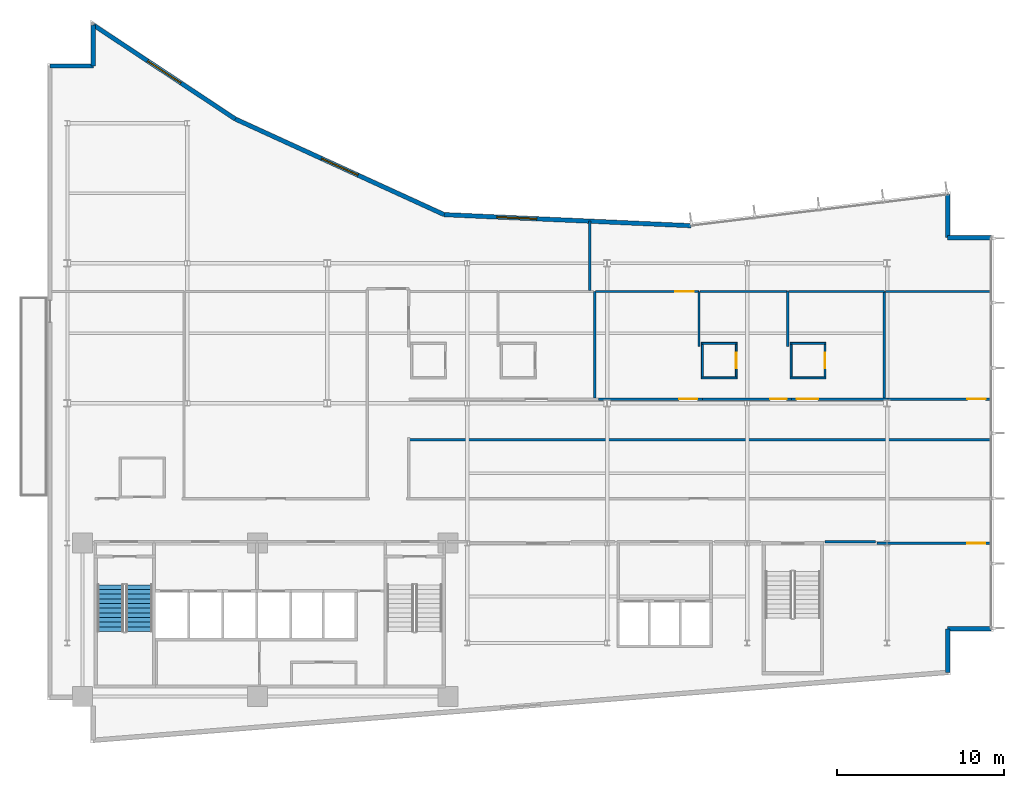
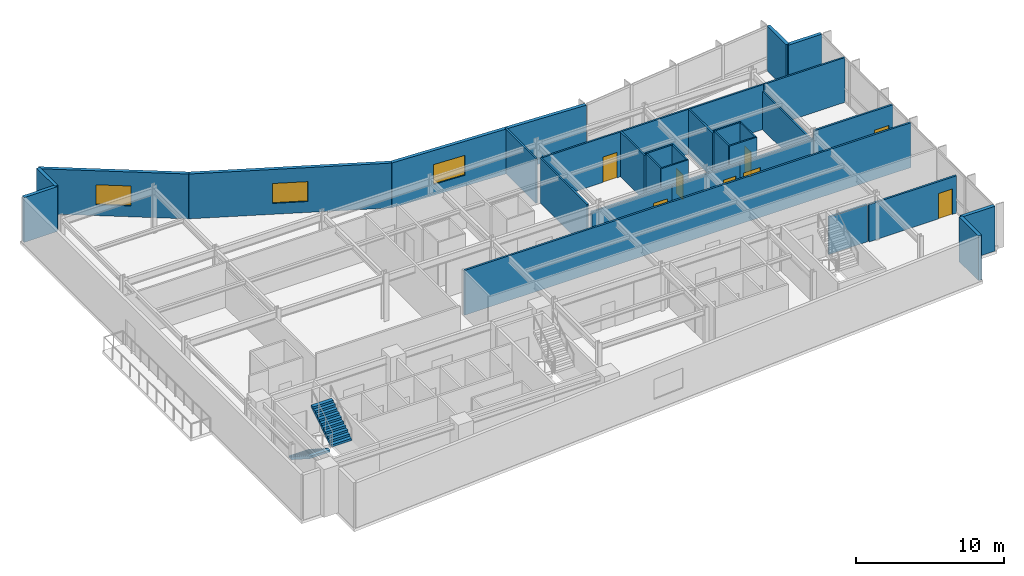
# One storey, part 12 of 17: 33 walls, 8 doors, 3 windows, 2 stair flights, 11 openings, 1 element without a shape of its own.
"""IFC4 building model written with IfcOpenShell, lengths in metres."""

import ifcopenshell
import ifcopenshell.guid

model = None  # the IFC model being written
_history = None  # IfcOwnerHistory: only IFC2X3 demands one
_inside = {}  # id of a spatial element -> (the spatial element, [elements in it])
_under = {}  # id of a project, library or spatial element -> (it, [spatial elements below it])
_declared = {}  # id of a project -> (the project, [libraries it declares])
_typed = {}  # id of a type object -> (the type object, [elements of that type])
_made_of = {}  # id of a material, layer set ... -> (it, [elements and type objects made of it])


def new_model(schema):
    """Start an empty IFC model of exactly this schema.

    Asked for "IFC4X3", IfcOpenShell would pick the latest addendum, in which some entities
    have other attributes; the version numbers below select the first issue.
    IFC2X3 requires an IfcOwnerHistory on every rooted entity: one is made here for all.
    """
    global model, _history
    if schema == "IFC4X3":
        model = ifcopenshell.file(schema_version=(4, 3, 0, 0))
    else:
        model = ifcopenshell.file(schema=schema)
    _inside.clear()
    _under.clear()
    _declared.clear()
    _typed.clear()
    _made_of.clear()
    _history = None
    if model.schema == "IFC2X3":
        org = make("IfcOrganization", Name="unknown")
        user = make(
            "IfcPersonAndOrganization",
            ThePerson=make("IfcPerson", FamilyName="unknown"),
            TheOrganization=org,
        )
        app = make(
            "IfcApplication",
            ApplicationDeveloper=org,
            Version="unknown",
            ApplicationFullName="unknown",
            ApplicationIdentifier="unknown",
        )
        _history = make(
            "IfcOwnerHistory",
            OwningUser=user,
            OwningApplication=app,
            ChangeAction="ADDED",
            CreationDate=0,
        )
    return model


def make(cls, **values):
    """One entity of the class cls with the attributes given. An attribute that is None is left unset."""
    return model.create_entity(
        cls, **{name: value for name, value in values.items() if value is not None}
    )


def rooted(cls, **values):
    """An entity with a GlobalId (a new one), such as an element, a storey or a relation."""
    return make(cls, GlobalId=ifcopenshell.guid.new(), OwnerHistory=_history, **values)


def si_unit(unit_type, name, prefix=None):
    """IfcSIUnit, for example si_unit("LENGTHUNIT", "METRE", prefix="MILLI")."""
    return make("IfcSIUnit", UnitType=unit_type, Prefix=prefix, Name=name)


def assignment(units):
    """IfcUnitAssignment: the units of a project."""
    return None if units is None else make("IfcUnitAssignment", Units=units)


def point(xyz):
    """IfcCartesianPoint."""
    return None if xyz is None else make("IfcCartesianPoint", Coordinates=xyz)


def direction(xyz):
    """IfcDirection."""
    return None if xyz is None else make("IfcDirection", DirectionRatios=xyz)


def frame(location, z_axis=None, x_axis=None):
    """IfcAxis2Placement3D, a coordinate frame: its origin and axes. An axis left out is left unset."""
    return make(
        "IfcAxis2Placement3D",
        Location=point(location),
        Axis=direction(z_axis),
        RefDirection=direction(x_axis),
    )


def frame_2d(location, x_axis=None):
    """IfcAxis2Placement2D, a coordinate frame in the plane: its origin and x axis."""
    return make(
        "IfcAxis2Placement2D", Location=point(location), RefDirection=direction(x_axis)
    )


def origin():
    """The frame at (0, 0, 0) with its axes left unset."""
    return frame((0.0, 0.0, 0.0))


def place(relative_to, where):
    """IfcLocalPlacement: puts the frame where relative to a parent placement (None: the world)."""
    return make(
        "IfcLocalPlacement", PlacementRelTo=relative_to, RelativePlacement=where
    )


def context(
    kind, dimensions, precision=None, world=None, true_north=None, identifier=None
):
    """IfcGeometricRepresentationContext, for example the 3D "Model" context."""
    return make(
        "IfcGeometricRepresentationContext",
        ContextIdentifier=identifier,
        ContextType=kind,
        CoordinateSpaceDimension=dimensions,
        Precision=precision,
        WorldCoordinateSystem=world,
        TrueNorth=true_north,
    )


def subcontext(parent, identifier, kind, view, scale=None):
    """IfcGeometricRepresentationSubContext, for example "Body" below "Model"."""
    return make(
        "IfcGeometricRepresentationSubContext",
        ContextIdentifier=identifier,
        ContextType=kind,
        ParentContext=parent,
        TargetScale=scale,
        TargetView=view,
    )


def project(units=None, contexts=None):
    """IfcProject with its units and contexts."""
    return rooted(
        "IfcProject",
        Name="project",
        RepresentationContexts=contexts,
        UnitsInContext=assignment(units),
    )


def spatial(cls, under=None, at=None, **own):
    """A site, building, storey or space (cls), placed at a placement, below another one or the project."""
    s = rooted(cls, ObjectPlacement=at, **own)
    if under is not None:
        _under.setdefault(under.id(), (under, []))[1].append(s)
    return s


def polyline(points):
    """IfcPolyline through the points."""
    return make("IfcPolyline", Points=[point(p) for p in points])


def profile(cls, at=None, kind="AREA", **sizes):
    """A parametric profile (cls). Its sizes go by their IFC names, for example OverallWidth=200.0."""
    return make(cls, ProfileType=kind, Position=at, **sizes)


def rectangle(**sizes):
    """IfcRectangleProfileDef."""
    return profile("IfcRectangleProfileDef", **sizes)


def outline(outer, holes=None, kind="AREA"):
    """IfcArbitraryClosedProfileDef: a profile drawn as a closed curve; with holes, ...WithVoids."""
    if holes is None:
        return make("IfcArbitraryClosedProfileDef", ProfileType=kind, OuterCurve=outer)
    return make(
        "IfcArbitraryProfileDefWithVoids",
        ProfileType=kind,
        OuterCurve=outer,
        InnerCurves=holes,
    )


def extrude(swept, where, along, depth):
    """IfcExtrudedAreaSolid: the profile swept, set in the frame where, extruded along a direction by depth."""
    return make(
        "IfcExtrudedAreaSolid",
        SweptArea=swept,
        Position=where,
        ExtrudedDirection=direction(along),
        Depth=depth,
    )


def shape(context_of_items, identifier, shape_type, items):
    """IfcShapeRepresentation: the items that make up one representation, for example the "Body"."""
    return make(
        "IfcShapeRepresentation",
        ContextOfItems=context_of_items,
        RepresentationIdentifier=identifier,
        RepresentationType=shape_type,
        Items=items,
    )


def material(Name=None, Category=None):
    """IfcMaterial."""
    return make("IfcMaterial", Name=Name, Category=Category)


def layer(
    of_material, thickness, ventilated=None, Name=None, Category=None, Priority=None
):
    """IfcMaterialLayer: one layer of a wall or slab, of a material (None: an air gap)."""
    return make(
        "IfcMaterialLayer",
        Material=of_material,
        LayerThickness=thickness,
        IsVentilated=ventilated,
        Name=Name,
        Category=Category,
        Priority=Priority,
    )


def layer_set(layers, Name=None):
    """IfcMaterialLayerSet."""
    return make("IfcMaterialLayerSet", MaterialLayers=layers, LayerSetName=Name)


def made_of(thing, what):
    """Note that an element or type object is made of a material, layer set ...; save() writes the relation."""
    if what is not None:
        _made_of.setdefault(what.id(), (what, []))[1].append(thing)
    return thing


def type_object(cls, material=None, **own):
    """A type object (cls), such as IfcWallType, which elements share."""
    return made_of(rooted(cls, **own), material)


def element(
    cls,
    number,
    at=None,
    inside=None,
    cuts=None,
    type_object=None,
    material=None,
    context=None,
    identifier="Body",
    shape_type=None,
    held_by="IfcProductDefinitionShape",
    body=None,
    shapes=None,
    **own,
):
    """One element of the class cls, such as IfcWall. Its Tag is "e" and its number.

    at: its placement. inside: the storey or other place that contains it. cuts: it is an
    opening in that element (IfcRelVoidsElement). A single representation is given by context,
    identifier, shape_type and body (its items); several are given by shapes. held_by: the class
    of the entity that holds the representations. save() writes the other relations.
    """
    e = rooted(cls, Tag="e%d" % number, ObjectPlacement=at, **own)
    if body is not None:
        shapes = [shape(context, identifier, shape_type, body)]
    if shapes is not None:
        e.Representation = make(held_by, Representations=shapes)
    if inside is not None:
        _inside.setdefault(inside.id(), (inside, []))[1].append(e)
    if cuts is not None:
        rooted(
            "IfcRelVoidsElement", RelatingBuildingElement=cuts, RelatedOpeningElement=e
        )
    if type_object is not None:
        _typed.setdefault(type_object.id(), (type_object, []))[1].append(e)
    return made_of(e, material)


def fill(opening, filler):
    """IfcRelFillsElement: the door or window that sits in an opening."""
    return rooted(
        "IfcRelFillsElement",
        RelatingOpeningElement=opening,
        RelatedBuildingElement=filler,
    )


def aggregate(whole, parts):
    """IfcRelAggregates: a whole, such as a stair, and the parts it consists of."""
    return rooted("IfcRelAggregates", RelatingObject=whole, RelatedObjects=parts)


def save(model, path):
    """Write the relations noted so far, then the file.

    IfcRelAggregates (storeys below a building ...), IfcRelContainedInSpatialStructure (elements
    in a storey), IfcRelDefinesByType, IfcRelAssociatesMaterial and IfcRelDeclares: one each for
    every whole, place, type object, material and project.
    """
    for whole, parts in _under.values():
        aggregate(whole, parts)
    for where, things in _inside.values():
        rooted(
            "IfcRelContainedInSpatialStructure",
            RelatedElements=things,
            RelatingStructure=where,
        )
    for kind, things in _typed.values():
        rooted("IfcRelDefinesByType", RelatedObjects=things, RelatingType=kind)
    for what, things in _made_of.values():
        rooted("IfcRelAssociatesMaterial", RelatedObjects=things, RelatingMaterial=what)
    for by, libraries in _declared.values():
        rooted("IfcRelDeclares", RelatingContext=by, RelatedDefinitions=libraries)
    model.write(path)


model = new_model("IFC4")

# Units and contexts
model_context = context("Model", 3, precision=1e-05, world=origin(), true_north=direction((0.0, 1.0)))
body_context = subcontext(model_context, "Body", "Model", "MODEL_VIEW")
ifc_project = project(units=[si_unit("LENGTHUNIT", "METRE"), si_unit("AREAUNIT", "SQUARE_METRE"), si_unit("VOLUMEUNIT", "CUBIC_METRE"), si_unit("PLANEANGLEUNIT", "RADIAN"), si_unit("MASSUNIT", "GRAM", prefix="KILO")], contexts=[model_context])

# Site, building, storey
site_placement = place(None, origin())
site = spatial("IfcSite", under=ifc_project, at=site_placement, CompositionType="ELEMENT")
building_placement = place(site_placement, origin())
building = spatial("IfcBuilding", under=site, at=building_placement, Name="Varnakote Quay Hospital", CompositionType="ELEMENT")
storey_placement = place(building_placement, frame((0.0, 0.0, 146.800048828125)))
storey = spatial("IfcBuildingStorey", under=building, at=storey_placement, Name="L36", CompositionType="ELEMENT", Elevation=146.800048828125)

# Walls
ifc_material_1 = material(Name="Fire-rated acoustic gypsum stud wall", Category="gypsum")
ifc_layer_1 = layer(ifc_material_1, 0.159912109375)
ifc_layer_set_1 = layer_set([ifc_layer_1], Name="Fire-rated acoustic gypsum stud wall")
wall_type_1 = type_object("IfcWallType", Name="WL-COMP-160", PredefinedType="PARTITIONING", material=ifc_layer_set_1)
wall_1_placement = place(storey_placement, frame((46.689208984375, 12.080078125, 0.0), z_axis=(0.0, 0.0, 1.0), x_axis=(1.0, 0.0, 0.0)))
element("IfcWall", 1, at=wall_1_placement, inside=storey, type_object=wall_type_1, Name="L36 Corridor South Gap Wall", PredefinedType="PARTITIONING", context=body_context, shape_type="SweptSolid", body=[
    extrude(rectangle(XDim=3.0107421875, YDim=0.159912109375, at=frame_2d((1.50537109375, 0.0))), origin(), (0.0, 0.0, 1.0), 3.0830078125),
])
ifc_material_2 = material(Name="Moisture-resistant bathroom partition", Category="gypsum")
ifc_layer_2 = layer(ifc_material_2, 0.114990234375)
ifc_layer_set_2 = layer_set([ifc_layer_2], Name="Moisture-resistant bathroom partition")
wall_type_2 = type_object("IfcWallType", Name="WL-ENS-115", PredefinedType="PARTITIONING", material=ifc_layer_set_2)
for number, where, z_axis, x_axis, name in (
    (2, (39.2548828125, 21.922607421875, 0.0), (0.0, 0.0, 1.0), (1.0, 0.0, 0.0), "L36 Inpatient En-Suite Bathroom 03 S Wall"),
    (3, (39.2548828125, 23.987548828125, 0.0), (0.0, 0.0, 1.0), (1.0, 0.0, 0.0), "L36 Inpatient En-Suite Bathroom 03 N Wall"),
):
    element("IfcWall", number, at=place(storey_placement, frame(where, z_axis=z_axis, x_axis=x_axis)), inside=storey, type_object=wall_type_2, Name=name, PredefinedType="PARTITIONING", context=body_context, shape_type="SweptSolid", body=[
        extrude(rectangle(XDim=2.150146484375, YDim=0.114990234375, at=frame_2d((1.0751953125, 0.0))), origin(), (0.0, 0.0, 1.0), 3.7099609375),
    ])
wall_2_placement = place(storey_placement, frame((39.3125, 21.97998046875, 0.0), z_axis=(0.0, 0.0, 1.0), x_axis=(0.0, 1.0, 0.0)))
element("IfcWall", 4, at=wall_2_placement, inside=storey, type_object=wall_type_2, Name="L36 Inpatient En-Suite Bathroom 03 W Wall", PredefinedType="PARTITIONING", context=body_context, shape_type="SweptSolid", body=[
    extrude(rectangle(XDim=1.949951171875, YDim=0.114990234375, at=frame_2d((0.97509765625, 0.0))), origin(), (0.0, 0.0, 1.0), 3.7099609375),
])

# Wall, opening, door
wall_3_placement = place(storey_placement, frame((41.347412109375, 21.97998046875, 0.0), z_axis=(0.0, 0.0, 1.0), x_axis=(0.0, 1.0, 0.0)))
wall_3 = element("IfcWall", 5, at=wall_3_placement, inside=storey, type_object=wall_type_2, Name="L36 Inpatient En-Suite Bathroom 03 E Wall", PredefinedType="PARTITIONING", context=body_context, shape_type="SweptSolid", body=[
    extrude(rectangle(XDim=1.949951171875, YDim=0.114990234375, at=frame_2d((0.97509765625, 0.0))), origin(), (0.0, 0.0, 1.0), 3.7099609375),
])
opening_1_placement = place(wall_3_placement, frame((0.514892578125, 0.0, 0.0)))
opening_1 = element("IfcOpeningElement", 6, at=opening_1_placement, cuts=wall_3, Name="Opening D-L36-ENS03", PredefinedType="OPENING", context=body_context, shape_type="SweptSolid", body=[
    extrude(rectangle(XDim=0.919921875, YDim=2.10009765625, at=frame_2d((0.4599609375, 1.050048828125))), frame((0.0, 0.0673828125, 0.0), z_axis=(0.0, -1.0, 0.0), x_axis=(1.0, 0.0, 0.0)), (0.0, 0.0, 1.0), 0.135009765625),
])
ifc_material_3 = material(Name="Moisture-sealed en-suite bathroom door")
door_type_1 = type_object("IfcDoorType", Name="DR-ENS-920x2100", OperationType="NOTDEFINED", PredefinedType="DOOR", material=ifc_material_3)
door_1_placement = place(opening_1_placement, origin())
door_1 = element("IfcDoor", 7, at=door_1_placement, inside=storey, type_object=door_type_1, Name="L36 Inpatient En-Suite Bathroom 03 Door", OperationType="SINGLE_SWING_RIGHT", OverallHeight=2.10009765625, OverallWidth=0.919921875, PredefinedType="DOOR", context=body_context, shape_type="SweptSolid", body=[
    extrude(rectangle(XDim=0.919921875, YDim=2.10009765625, at=frame_2d((0.4599609375, 1.050048828125))), frame((0.0, 0.02490234375, 0.0), z_axis=(0.0, -1.0, 0.0), x_axis=(1.0, 0.0, 0.0)), (0.0, 0.0, 1.0), 0.050048828125),
])
fill(opening_1, door_1)

# Walls
for number, where, z_axis, x_axis, name in (
    (8, (44.5849609375, 21.922607421875, 0.0), (0.0, 0.0, 1.0), (1.0, 0.0, 0.0), "L36 Inpatient En-Suite Bathroom 04 S Wall"),
    (9, (44.5849609375, 23.987548828125, 0.0), (0.0, 0.0, 1.0), (1.0, 0.0, 0.0), "L36 Inpatient En-Suite Bathroom 04 N Wall"),
):
    element("IfcWall", number, at=place(storey_placement, frame(where, z_axis=z_axis, x_axis=x_axis)), inside=storey, type_object=wall_type_2, Name=name, PredefinedType="PARTITIONING", context=body_context, shape_type="SweptSolid", body=[
        extrude(rectangle(XDim=2.150146484375, YDim=0.114990234375, at=frame_2d((1.0751953125, 0.0))), origin(), (0.0, 0.0, 1.0), 3.7099609375),
    ])
wall_4_placement = place(storey_placement, frame((44.642578125, 21.97998046875, 0.0), z_axis=(0.0, 0.0, 1.0), x_axis=(0.0, 1.0, 0.0)))
element("IfcWall", 10, at=wall_4_placement, inside=storey, type_object=wall_type_2, Name="L36 Inpatient En-Suite Bathroom 04 W Wall", PredefinedType="PARTITIONING", context=body_context, shape_type="SweptSolid", body=[
    extrude(rectangle(XDim=1.949951171875, YDim=0.114990234375, at=frame_2d((0.97509765625, 0.0))), origin(), (0.0, 0.0, 1.0), 3.7099609375),
])

# Wall, opening, door
wall_5_placement = place(storey_placement, frame((46.677490234375, 21.97998046875, 0.0), z_axis=(0.0, 0.0, 1.0), x_axis=(0.0, 1.0, 0.0)))
wall_5 = element("IfcWall", 11, at=wall_5_placement, inside=storey, type_object=wall_type_2, Name="L36 Inpatient En-Suite Bathroom 04 E Wall", PredefinedType="PARTITIONING", context=body_context, shape_type="SweptSolid", body=[
    extrude(rectangle(XDim=1.949951171875, YDim=0.114990234375, at=frame_2d((0.97509765625, 0.0))), origin(), (0.0, 0.0, 1.0), 3.7099609375),
])
opening_2_placement = place(wall_5_placement, frame((0.514892578125, 0.0, 0.0)))
opening_2 = element("IfcOpeningElement", 12, at=opening_2_placement, cuts=wall_5, Name="Opening D-L36-ENS04", PredefinedType="OPENING", context=body_context, shape_type="SweptSolid", body=[
    extrude(rectangle(XDim=0.919921875, YDim=2.10009765625, at=frame_2d((0.4599609375, 1.050048828125))), frame((0.0, 0.0673828125, 0.0), z_axis=(0.0, -1.0, 0.0), x_axis=(1.0, 0.0, 0.0)), (0.0, 0.0, 1.0), 0.135009765625),
])
door_2_placement = place(opening_2_placement, origin())
door_2 = element("IfcDoor", 13, at=door_2_placement, inside=storey, type_object=door_type_1, Name="L36 Inpatient En-Suite Bathroom 04 Door", OperationType="SINGLE_SWING_LEFT", OverallHeight=2.10009765625, OverallWidth=0.919921875, PredefinedType="DOOR", context=body_context, shape_type="SweptSolid", body=[
    extrude(rectangle(XDim=0.919921875, YDim=2.10009765625, at=frame_2d((0.4599609375, 1.050048828125))), frame((0.0, 0.02490234375, 0.0), z_axis=(0.0, -1.0, 0.0), x_axis=(1.0, 0.0, 0.0)), (0.0, 0.0, 1.0), 0.050048828125),
])
fill(opening_2, door_2)

# Walls
ifc_material_4 = material(Name="Precast concrete N50 (f'c 50 MPa)", Category="concrete")
ifc_layer_3 = layer(ifc_material_4, 0.260009765625)
ifc_layer_set_3 = layer_set([ifc_layer_3], Name="Precast concrete N50 (f'c 50 MPa)")
wall_type_3 = type_object("IfcWallType", Name="WL-EXT-BRICK-260", PredefinedType="STANDARD", material=ifc_layer_set_3)
wall_6_placement = place(storey_placement, frame((54.0400390625, 4.247802734375, 0.0), z_axis=(0.0, 0.0, 1.0), x_axis=(0.0, 1.0, 0.0)))
element("IfcWall", 14, at=wall_6_placement, inside=storey, type_object=wall_type_3, Name="L36 Brick-Faced Precast Exterior Wall", PredefinedType="STANDARD", context=body_context, shape_type="SweptSolid", body=[
    extrude(rectangle(XDim=2.6123046875, YDim=0.260009765625, at=frame_2d((1.30615234375, 0.0))), origin(), (0.0, 0.0, 1.0), 3.7099609375),
])
for number, where, z_axis, x_axis, name in (
    (15, (54.0400390625, 6.860107421875, 0.0), (0.0, 0.0, 1.0), (1.0, 0.0, 0.0), "L36 Brick-Faced Precast Exterior Wall"),
    (16, (56.639892578125, 30.340087890625, 0.0), (0.0, 0.0, 1.0), (-1.0, 0.0, 0.0), "L36 Brick-Faced Precast Exterior Wall"),
):
    element("IfcWall", number, at=place(storey_placement, frame(where, z_axis=z_axis, x_axis=x_axis)), inside=storey, type_object=wall_type_3, Name=name, PredefinedType="STANDARD", context=body_context, shape_type="SweptSolid", body=[
        extrude(rectangle(XDim=2.599853515625, YDim=0.260009765625, at=frame_2d((1.2998046875, 0.0))), origin(), (0.0, 0.0, 1.0), 3.7099609375),
    ])
wall_7_placement = place(storey_placement, frame((54.0400390625, 30.340087890625, 0.0), z_axis=(0.0, 0.0, 1.0), x_axis=(0.0, 1.0, 0.0)))
element("IfcWall", 17, at=wall_7_placement, inside=storey, type_object=wall_type_3, Name="L36 Brick-Faced Precast Exterior Wall", PredefinedType="STANDARD", context=body_context, shape_type="SweptSolid", body=[
    extrude(rectangle(XDim=2.579345703125, YDim=0.260009765625, at=frame_2d((1.28955078125, 0.0))), origin(), (0.0, 0.0, 1.0), 3.7099609375),
])

# Wall, opening, window
wall_8_placement = place(storey_placement, frame((38.630126953125, 31.051513671875, 0.0), z_axis=(0.0, 0.0, 1.0), x_axis=(-0.998996592956, 0.044786239663, 0.0)))
wall_8 = element("IfcWall", 18, at=wall_8_placement, inside=storey, type_object=wall_type_3, Name="L36 Brick-Faced Precast Exterior Wall", PredefinedType="STANDARD", context=body_context, shape_type="SweptSolid", body=[
    extrude(rectangle(XDim=14.827392578125, YDim=0.260009765625, at=frame_2d((7.41357421875, 0.0))), origin(), (0.0, 0.0, 1.0), 3.7099609375),
])
opening_3_placement = place(wall_8_placement, frame((9.26171875, 0.0, 0.89990234375)))
opening_3 = element("IfcOpeningElement", 19, at=opening_3_placement, cuts=wall_8, Name="Opening WN-0155", PredefinedType="OPENING", context=body_context, shape_type="SweptSolid", body=[
    extrude(rectangle(XDim=2.39990234375, YDim=1.64990234375, at=frame_2d((1.199951171875, 0.824951171875))), frame((0.0, 0.139892578125, 0.0), z_axis=(0.0, -1.0, 0.0), x_axis=(1.0, 0.0, 0.0)), (0.0, 0.0, 1.0), 0.280029296875),
])
ifc_material_5 = material(Name="Double-glazed low-E solar glass", Category="glass")
window_type = type_object("IfcWindowType", Name="WIN-CLIN-2400x1650", PartitioningType="SINGLE_PANEL", PredefinedType="WINDOW", material=ifc_material_5)
window_1_placement = place(opening_3_placement, origin())
window_1 = element("IfcWindow", 20, at=window_1_placement, inside=storey, type_object=window_type, Name="L36 Solar-Control Clinical Window", OverallHeight=1.64990234375, OverallWidth=2.39990234375, PartitioningType="SINGLE_PANEL", PredefinedType="WINDOW", context=body_context, shape_type="SweptSolid", body=[
    extrude(rectangle(XDim=2.39990234375, YDim=1.64990234375, at=frame_2d((1.199951171875, 0.824951171875))), frame((0.0, 0.030029296875, 0.0), z_axis=(0.0, -1.0, 0.0), x_axis=(1.0, 0.0, 0.0)), (0.0, 0.0, 1.0), 0.06005859375),
])
fill(opening_3, window_1)

wall_9_placement = place(storey_placement, frame((23.817626953125, 31.715576171875, 0.0), z_axis=(0.0, 0.0, 1.0), x_axis=(-0.909209527513, 0.416338846471, 0.0)))
wall_9 = element("IfcWall", 21, at=wall_9_placement, inside=storey, type_object=wall_type_3, Name="L36 Brick-Faced Precast Exterior Wall", PredefinedType="STANDARD", context=body_context, shape_type="SweptSolid", body=[
    extrude(rectangle(XDim=13.787353515625, YDim=0.260009765625, at=frame_2d((6.8935546875, 0.0))), origin(), (0.0, 0.0, 1.0), 3.7099609375),
])
opening_4_placement = place(wall_9_placement, frame((5.693603515625, 0.0, 0.89990234375)))
opening_4 = element("IfcOpeningElement", 22, at=opening_4_placement, cuts=wall_9, Name="Opening WN-0156", PredefinedType="OPENING", context=body_context, shape_type="SweptSolid", body=[
    extrude(rectangle(XDim=2.39990234375, YDim=1.64990234375, at=frame_2d((1.199951171875, 0.824951171875))), frame((0.0, 0.139892578125, 0.0), z_axis=(0.0, -1.0, 0.0), x_axis=(1.0, 0.0, 0.0)), (0.0, 0.0, 1.0), 0.280029296875),
])
window_2_placement = place(opening_4_placement, origin())
window_2 = element("IfcWindow", 23, at=window_2_placement, inside=storey, type_object=window_type, Name="L36 Solar-Control Clinical Window", OverallHeight=1.64990234375, OverallWidth=2.39990234375, PartitioningType="SINGLE_PANEL", PredefinedType="WINDOW", context=body_context, shape_type="SweptSolid", body=[
    extrude(rectangle(XDim=2.39990234375, YDim=1.64990234375, at=frame_2d((1.199951171875, 0.824951171875))), frame((0.0, 0.030029296875, 0.0), z_axis=(0.0, -1.0, 0.0), x_axis=(1.0, 0.0, 0.0)), (0.0, 0.0, 1.0), 0.06005859375),
])
fill(opening_4, window_2)

wall_10_placement = place(storey_placement, frame((11.281982421875, 37.455810546875, 0.0), z_axis=(0.0, 0.0, 1.0), x_axis=(-0.833630474253, 0.552322580017, 0.0)))
wall_10 = element("IfcWall", 24, at=wall_10_placement, inside=storey, type_object=wall_type_3, Name="L36 Brick-Faced Precast Exterior Wall", PredefinedType="STANDARD", context=body_context, shape_type="SweptSolid", body=[
    extrude(rectangle(XDim=10.22265625, YDim=0.260009765625, at=frame_2d((5.111328125, 0.0))), origin(), (0.0, 0.0, 1.0), 3.7099609375),
])
opening_5_placement = place(wall_10_placement, frame((3.911376953125, 0.0, 0.89990234375)))
opening_5 = element("IfcOpeningElement", 25, at=opening_5_placement, cuts=wall_10, Name="Opening WN-0157", PredefinedType="OPENING", context=body_context, shape_type="SweptSolid", body=[
    extrude(rectangle(XDim=2.39990234375, YDim=1.64990234375, at=frame_2d((1.199951171875, 0.824951171875))), frame((0.0, 0.139892578125, 0.0), z_axis=(0.0, -1.0, 0.0), x_axis=(1.0, 0.0, 0.0)), (0.0, 0.0, 1.0), 0.280029296875),
])
window_3_placement = place(opening_5_placement, origin())
window_3 = element("IfcWindow", 26, at=window_3_placement, inside=storey, type_object=window_type, Name="L36 Solar-Control Clinical Window", OverallHeight=1.64990234375, OverallWidth=2.39990234375, PartitioningType="SINGLE_PANEL", PredefinedType="WINDOW", context=body_context, shape_type="SweptSolid", body=[
    extrude(rectangle(XDim=2.39990234375, YDim=1.64990234375, at=frame_2d((1.199951171875, 0.824951171875))), frame((0.0, 0.030029296875, 0.0), z_axis=(0.0, -1.0, 0.0), x_axis=(1.0, 0.0, 0.0)), (0.0, 0.0, 1.0), 0.06005859375),
])
fill(opening_5, window_3)

# Walls
wall_11_placement = place(storey_placement, frame((2.760009765625, 43.10205078125, 0.0), z_axis=(0.0, 0.0, 1.0), x_axis=(0.0, -1.0, 0.0)))
element("IfcWall", 27, at=wall_11_placement, inside=storey, type_object=wall_type_3, Name="L36 Brick-Faced Precast Exterior Wall", PredefinedType="STANDARD", context=body_context, shape_type="SweptSolid", body=[
    extrude(rectangle(XDim=2.462158203125, YDim=0.260009765625, at=frame_2d((1.23095703125, 0.0))), origin(), (0.0, 0.0, 1.0), 3.7099609375),
])
wall_12_placement = place(storey_placement, frame((2.760009765625, 40.639892578125, 0.0), z_axis=(0.0, 0.0, 1.0), x_axis=(-1.0, 0.0, 0.0)))
element("IfcWall", 28, at=wall_12_placement, inside=storey, type_object=wall_type_3, Name="L36 Brick-Faced Precast Exterior Wall", PredefinedType="STANDARD", context=body_context, shape_type="SweptSolid", body=[
    extrude(rectangle(XDim=2.60009765625, YDim=0.260009765625, at=frame_2d((1.300048828125, 0.0))), origin(), (0.0, 0.0, 1.0), 3.7099609375),
])
ifc_material_6 = material(Name="Smoke-proof clinical partition", Category="gypsum")
ifc_layer_4 = layer(ifc_material_6, 0.135009765625)
ifc_layer_set_4 = layer_set([ifc_layer_4], Name="Smoke-proof clinical partition")
wall_type_4 = type_object("IfcWallType", Name="WL-SMOKE-135", PredefinedType="PARTITIONING", material=ifc_layer_set_4)
wall_13_placement = place(storey_placement, frame((32.85009765625, 20.715087890625, 0.0), z_axis=(0.0, 0.0, 1.0), x_axis=(0.0, 1.0, 0.0)))
element("IfcWall", 29, at=wall_13_placement, inside=storey, type_object=wall_type_4, Name="L36 Clinical Interior Partition", PredefinedType="PARTITIONING", context=body_context, shape_type="SweptSolid", body=[
    extrude(rectangle(XDim=6.385009765625, YDim=0.135009765625, at=frame_2d((3.1923828125, 0.0))), origin(), (0.0, 0.0, 1.0), 3.7099609375),
])
wall_14_placement = place(storey_placement, frame((39.110107421875, 23.802490234375, 0.0), z_axis=(0.0, 0.0, 1.0), x_axis=(0.0, 1.0, 0.0)))
element("IfcWall", 30, at=wall_14_placement, inside=storey, type_object=wall_type_4, Name="L36 Clinical Interior Partition", PredefinedType="PARTITIONING", context=body_context, shape_type="SweptSolid", body=[
    extrude(rectangle(XDim=3.297607421875, YDim=0.135009765625, at=frame_2d((1.64892578125, 0.0))), origin(), (0.0, 0.0, 1.0), 3.7099609375),
])

# Wall, opening, door
wall_15_placement = place(storey_placement, frame((39.110107421875, 27.10009765625, 0.0), z_axis=(0.0, 0.0, 1.0), x_axis=(-1.0, 0.0, 0.0)))
wall_15 = element("IfcWall", 31, at=wall_15_placement, inside=storey, type_object=wall_type_4, Name="L36 Clinical Interior Partition", PredefinedType="PARTITIONING", context=body_context, shape_type="SweptSolid", body=[
    extrude(rectangle(XDim=6.20263671875, YDim=0.135009765625, at=frame_2d((3.101318359375, 0.0))), origin(), (0.0, 0.0, 1.0), 3.7099609375),
])
opening_6_placement = place(wall_15_placement, frame((0.317626953125, 0.0, 0.0)))
opening_6 = element("IfcOpeningElement", 32, at=opening_6_placement, cuts=wall_15, Name="Opening D-L36-MD06", PredefinedType="OPENING", context=body_context, shape_type="SweptSolid", body=[
    extrude(rectangle(XDim=1.10009765625, YDim=2.10009765625, at=frame_2d((0.550048828125, 1.050048828125))), frame((0.0, 0.077392578125, 0.0), z_axis=(0.0, -1.0, 0.0), x_axis=(1.0, 0.0, 0.0)), (0.0, 0.0, 1.0), 0.155029296875),
])
ifc_material_7 = material(Name="Acoustic timber clinical consult door", Category="wood")
door_type_2 = type_object("IfcDoorType", Name="DR-CLIN-FD30S-1100x2100", OperationType="NOTDEFINED", PredefinedType="DOOR", material=ifc_material_7)
door_3_placement = place(opening_6_placement, origin())
door_3 = element("IfcDoor", 33, at=door_3_placement, inside=storey, type_object=door_type_2, Name="L36 Paediatric Acute Treatment Suite Door", OperationType="SINGLE_SWING_RIGHT", OverallHeight=2.10009765625, OverallWidth=1.10009765625, PredefinedType="DOOR", context=body_context, shape_type="SweptSolid", body=[
    extrude(rectangle(XDim=1.10009765625, YDim=2.10009765625, at=frame_2d((0.550048828125, 1.050048828125))), frame((0.0, 0.02490234375, 0.0), z_axis=(0.0, -1.0, 0.0), x_axis=(1.0, 0.0, 0.0)), (0.0, 0.0, 1.0), 0.050048828125),
])
fill(opening_6, door_3)

# Walls
wall_16_placement = place(storey_placement, frame((44.43994140625, 23.802490234375, 0.0), z_axis=(0.0, 0.0, 1.0), x_axis=(0.0, 1.0, 0.0)))
element("IfcWall", 34, at=wall_16_placement, inside=storey, type_object=wall_type_4, Name="L36 Clinical Interior Partition", PredefinedType="PARTITIONING", context=body_context, shape_type="SweptSolid", body=[
    extrude(rectangle(XDim=3.297607421875, YDim=0.135009765625, at=frame_2d((1.64892578125, 0.0))), origin(), (0.0, 0.0, 1.0), 3.7099609375),
])
wall_17_placement = place(storey_placement, frame((44.43994140625, 27.10009765625, 0.0), z_axis=(0.0, 0.0, 1.0), x_axis=(-1.0, 0.0, 0.0)))
element("IfcWall", 35, at=wall_17_placement, inside=storey, type_object=wall_type_4, Name="L36 Clinical Interior Partition", PredefinedType="PARTITIONING", context=body_context, shape_type="SweptSolid", body=[
    extrude(rectangle(XDim=5.2724609375, YDim=0.135009765625, at=frame_2d((2.63623046875, 0.0))), origin(), (0.0, 0.0, 1.0), 3.7099609375),
])
wall_18_placement = place(storey_placement, frame((50.239990234375, 20.715087890625, 0.0), z_axis=(0.0, 0.0, 1.0), x_axis=(0.0, 1.0, 0.0)))
element("IfcWall", 36, at=wall_18_placement, inside=storey, type_object=wall_type_4, Name="L36 Clinical Interior Partition", PredefinedType="PARTITIONING", context=body_context, shape_type="SweptSolid", body=[
    extrude(rectangle(XDim=6.385009765625, YDim=0.135009765625, at=frame_2d((3.1923828125, 0.0))), origin(), (0.0, 0.0, 1.0), 3.15185546875),
])
wall_19_placement = place(storey_placement, frame((50.239990234375, 27.10009765625, 0.0), z_axis=(0.0, 0.0, 1.0), x_axis=(-1.0, 0.0, 0.0)))
element("IfcWall", 37, at=wall_19_placement, inside=storey, type_object=wall_type_4, Name="L36 Clinical Interior Partition", PredefinedType="PARTITIONING", context=body_context, shape_type="SweptSolid", body=[
    extrude(rectangle(XDim=5.742431640625, YDim=0.135009765625, at=frame_2d((2.87109375, 0.0))), origin(), (0.0, 0.0, 1.0), 3.7099609375),
])
wall_20_placement = place(storey_placement, frame((56.639892578125, 27.10009765625, 0.0), z_axis=(0.0, 0.0, 1.0), x_axis=(-1.0, 0.0, 0.0)))
element("IfcWall", 38, at=wall_20_placement, inside=storey, type_object=wall_type_4, Name="L36 Clinical Interior Partition", PredefinedType="PARTITIONING", context=body_context, shape_type="SweptSolid", body=[
    extrude(rectangle(XDim=6.34228515625, YDim=0.135009765625, at=frame_2d((3.171142578125, 0.0))), origin(), (0.0, 0.0, 1.0), 3.7099609375),
])
wall_21_placement = place(storey_placement, frame((32.56005859375, 27.157470703125, 0.0), z_axis=(0.0, 0.0, 1.0), x_axis=(0.0, 1.0, 0.0)))
element("IfcWall", 39, at=wall_21_placement, inside=storey, type_object=wall_type_4, Name="L36 Clinical Interior Partition", PredefinedType="PARTITIONING", context=body_context, shape_type="SweptSolid", body=[
    extrude(rectangle(XDim=4.166259765625, YDim=0.135009765625, at=frame_2d((2.0830078125, 0.0))), origin(), (0.0, 0.0, 1.0), 3.7099609375),
])

# Wall, opening, door
ifc_material_8 = material(Name="Fire-rated clinical gypsum partition", Category="gypsum")
ifc_layer_5 = layer(ifc_material_8, 0.14990234375)
ifc_layer_set_5 = layer_set([ifc_layer_5], Name="Fire-rated clinical gypsum partition")
wall_type_5 = type_object("IfcWallType", Name="WL-WARD-150", PredefinedType="PARTITIONING", material=ifc_layer_set_5)
wall_22_placement = place(storey_placement, frame((56.639892578125, 12.0, 0.0), z_axis=(0.0, 0.0, 1.0), x_axis=(-1.0, 0.0, 0.0)))
wall_22 = element("IfcWall", 40, at=wall_22_placement, inside=storey, type_object=wall_type_5, Name="L36 Clinical Interior Partition", PredefinedType="PARTITIONING", context=body_context, shape_type="SweptSolid", body=[
    extrude(rectangle(XDim=6.83984375, YDim=0.14990234375, at=frame_2d((3.419921875, 0.0))), origin(), (0.0, 0.0, 1.0), 3.0830078125),
])
opening_7_placement = place(wall_22_placement, frame((0.33349609375, 0.0, 0.0)))
opening_7 = element("IfcOpeningElement", 41, at=opening_7_placement, cuts=wall_22, Name="Opening D-L36-SE1", PredefinedType="OPENING", context=body_context, shape_type="SweptSolid", body=[
    extrude(rectangle(XDim=1.10009765625, YDim=2.10009765625, at=frame_2d((0.550048828125, 1.050048828125))), frame((0.0, 0.0849609375, 0.0), z_axis=(0.0, -1.0, 0.0), x_axis=(1.0, 0.0, 0.0)), (0.0, 0.0, 1.0), 0.169921875),
])
door_4_placement = place(opening_7_placement, origin())
door_4 = element("IfcDoor", 42, at=door_4_placement, inside=storey, type_object=door_type_2, Name="L36 Clinical Biomedical Engineering Office Door", OperationType="SINGLE_SWING_LEFT", OverallHeight=2.10009765625, OverallWidth=1.10009765625, PredefinedType="DOOR", context=body_context, shape_type="SweptSolid", body=[
    extrude(rectangle(XDim=1.10009765625, YDim=2.10009765625, at=frame_2d((0.550048828125, 1.050048828125))), frame((0.0, 0.02490234375, 0.0), z_axis=(0.0, -1.0, 0.0), x_axis=(1.0, 0.0, 0.0)), (0.0, 0.0, 1.0), 0.050048828125),
])
fill(opening_7, door_4)

# Wall
wall_23_placement = place(storey_placement, frame((21.719970703125, 18.199951171875, 0.0), z_axis=(0.0, 0.0, 1.0), x_axis=(1.0, 0.0, 0.0)))
element("IfcWall", 43, at=wall_23_placement, inside=storey, type_object=wall_type_5, Name="L36 Clinical Interior Partition", PredefinedType="PARTITIONING", context=body_context, shape_type="SweptSolid", body=[
    extrude(rectangle(XDim=34.919921875, YDim=0.14990234375, at=frame_2d((17.4599609375, 0.0))), origin(), (0.0, 0.0, 1.0), 3.7099609375),
])

# Wall, opening, door
wall_24_placement = place(storey_placement, frame((39.3359375, 20.64990234375, 0.0), z_axis=(0.0, 0.0, 1.0), x_axis=(-1.0, 0.0, 0.0)))
wall_24 = element("IfcWall", 44, at=wall_24_placement, inside=storey, type_object=wall_type_5, Name="L36 Clinical Interior Partition", PredefinedType="PARTITIONING", context=body_context, shape_type="SweptSolid", body=[
    extrude(rectangle(XDim=6.258056640625, YDim=0.14990234375, at=frame_2d((3.12890625, 0.0))), origin(), (0.0, 0.0, 1.0), 3.0830078125),
])
opening_8_placement = place(wall_24_placement, frame((0.31884765625, 0.0, 0.0)))
opening_8 = element("IfcOpeningElement", 45, at=opening_8_placement, cuts=wall_24, Name="Opening D-L36-MD03", PredefinedType="OPENING", context=body_context, shape_type="SweptSolid", body=[
    extrude(rectangle(XDim=1.10009765625, YDim=2.10009765625, at=frame_2d((0.550048828125, 1.050048828125))), frame((0.0, 0.0849609375, 0.0), z_axis=(0.0, -1.0, 0.0), x_axis=(1.0, 0.0, 0.0)), (0.0, 0.0, 1.0), 0.169921875),
])
door_5_placement = place(opening_8_placement, origin())
door_5 = element("IfcDoor", 46, at=door_5_placement, inside=storey, type_object=door_type_2, Name="L36 Child Health Consult Office Door", OperationType="SINGLE_SWING_RIGHT", OverallHeight=2.10009765625, OverallWidth=1.10009765625, PredefinedType="DOOR", context=body_context, shape_type="SweptSolid", body=[
    extrude(rectangle(XDim=1.10009765625, YDim=2.10009765625, at=frame_2d((0.550048828125, 1.050048828125))), frame((0.0, 0.02490234375, 0.0), z_axis=(0.0, -1.0, 0.0), x_axis=(1.0, 0.0, 0.0)), (0.0, 0.0, 1.0), 0.050048828125),
])
fill(opening_8, door_5)

wall_25_placement = place(storey_placement, frame((44.666015625, 20.64990234375, 0.0), z_axis=(0.0, 0.0, 1.0), x_axis=(-1.0, 0.0, 0.0)))
wall_25 = element("IfcWall", 47, at=wall_25_placement, inside=storey, type_object=wall_type_5, Name="L36 Clinical Interior Partition", PredefinedType="PARTITIONING", context=body_context, shape_type="SweptSolid", body=[
    extrude(rectangle(XDim=5.328125, YDim=0.14990234375, at=frame_2d((2.6640625, 0.0))), origin(), (0.0, 0.0, 1.0), 3.0830078125),
])
opening_9_placement = place(wall_25_placement, frame((0.298583984375, 0.0, 0.0)))
opening_9 = element("IfcOpeningElement", 48, at=opening_9_placement, cuts=wall_25, Name="Opening D-L36-BR03", PredefinedType="OPENING", context=body_context, shape_type="SweptSolid", body=[
    extrude(rectangle(XDim=0.97998046875, YDim=2.10009765625, at=frame_2d((0.489990234375, 1.050048828125))), frame((0.0, 0.0849609375, 0.0), z_axis=(0.0, -1.0, 0.0), x_axis=(1.0, 0.0, 0.0)), (0.0, 0.0, 1.0), 0.169921875),
])
ifc_material_9 = material(Name="Accessible sanitary compartment door")
door_type_3 = type_object("IfcDoorType", Name="DR-WC-980x2100", OperationType="NOTDEFINED", PredefinedType="DOOR", material=ifc_material_9)
door_6_placement = place(opening_9_placement, origin())
door_6 = element("IfcDoor", 49, at=door_6_placement, inside=storey, type_object=door_type_3, Name="L36 Resident Care Bedroom 03 Door", OperationType="SINGLE_SWING_LEFT", OverallHeight=2.10009765625, OverallWidth=0.97998046875, PredefinedType="DOOR", context=body_context, shape_type="SweptSolid", body=[
    extrude(rectangle(XDim=0.97998046875, YDim=2.10009765625, at=frame_2d((0.489990234375, 1.050048828125))), frame((0.0, 0.02490234375, 0.0), z_axis=(0.0, -1.0, 0.0), x_axis=(1.0, 0.0, 0.0)), (0.0, 0.0, 1.0), 0.050048828125),
])
fill(opening_9, door_6)

wall_26_placement = place(storey_placement, frame((50.466064453125, 20.64990234375, 0.0), z_axis=(0.0, 0.0, 1.0), x_axis=(-1.0, 0.0, 0.0)))
wall_26 = element("IfcWall", 50, at=wall_26_placement, inside=storey, type_object=wall_type_5, Name="L36 Clinical Interior Partition", PredefinedType="PARTITIONING", context=body_context, shape_type="SweptSolid", body=[
    extrude(rectangle(XDim=5.798095703125, YDim=0.14990234375, at=frame_2d((2.89892578125, 0.0))), origin(), (0.0, 0.0, 1.0), 3.0830078125),
])
opening_10_placement = place(wall_26_placement, frame((4.195556640625, 0.0, 0.0)))
opening_10 = element("IfcOpeningElement", 51, at=opening_10_placement, cuts=wall_26, Name="Opening D-L36-BR04", PredefinedType="OPENING", context=body_context, shape_type="SweptSolid", body=[
    extrude(rectangle(XDim=1.300048828125, YDim=2.14990234375, at=frame_2d((0.64990234375, 1.074951171875))), frame((0.0, 0.0849609375, 0.0), z_axis=(0.0, -1.0, 0.0), x_axis=(1.0, 0.0, 0.0)), (0.0, 0.0, 1.0), 0.169921875),
])
ifc_material_10 = material(Name="Solid-core timber clinical bed door", Category="wood")
door_type_4 = type_object("IfcDoorType", Name="DR-WARD-FD30S-1300x2150", OperationType="NOTDEFINED", PredefinedType="DOOR", material=ifc_material_10)
door_7_placement = place(opening_10_placement, origin())
door_7 = element("IfcDoor", 52, at=door_7_placement, inside=storey, type_object=door_type_4, Name="L36 Resident Care Bedroom 04 Door", OperationType="SINGLE_SWING_RIGHT", OverallHeight=2.14990234375, OverallWidth=1.300048828125, PredefinedType="DOOR", context=body_context, shape_type="SweptSolid", body=[
    extrude(rectangle(XDim=1.300048828125, YDim=2.14990234375, at=frame_2d((0.64990234375, 1.074951171875))), frame((0.0, 0.02490234375, 0.0), z_axis=(0.0, -1.0, 0.0), x_axis=(1.0, 0.0, 0.0)), (0.0, 0.0, 1.0), 0.050048828125),
])
fill(opening_10, door_7)

wall_27_placement = place(storey_placement, frame((56.639892578125, 20.64990234375, 0.0), z_axis=(0.0, 0.0, 1.0), x_axis=(-1.0, 0.0, 0.0)))
wall_27 = element("IfcWall", 53, at=wall_27_placement, inside=storey, type_object=wall_type_5, Name="L36 Clinical Interior Partition", PredefinedType="PARTITIONING", context=body_context, shape_type="SweptSolid", body=[
    extrude(rectangle(XDim=6.171875, YDim=0.14990234375, at=frame_2d((3.0859375, 0.0))), origin(), (0.0, 0.0, 1.0), 3.7099609375),
])
opening_11_placement = place(wall_27_placement, frame((0.31689453125, 0.0, 0.0)))
opening_11 = element("IfcOpeningElement", 54, at=opening_11_placement, cuts=wall_27, Name="Opening D-L36-MD04", PredefinedType="OPENING", context=body_context, shape_type="SweptSolid", body=[
    extrude(rectangle(XDim=1.10009765625, YDim=2.10009765625, at=frame_2d((0.550048828125, 1.050048828125))), frame((0.0, 0.0849609375, 0.0), z_axis=(0.0, -1.0, 0.0), x_axis=(1.0, 0.0, 0.0)), (0.0, 0.0, 1.0), 0.169921875),
])
door_8_placement = place(opening_11_placement, origin())
door_8 = element("IfcDoor", 55, at=door_8_placement, inside=storey, type_object=door_type_2, Name="L36 Parent Education Teaching Room Door", OperationType="SINGLE_SWING_LEFT", OverallHeight=2.10009765625, OverallWidth=1.10009765625, PredefinedType="DOOR", context=body_context, shape_type="SweptSolid", body=[
    extrude(rectangle(XDim=1.10009765625, YDim=2.10009765625, at=frame_2d((0.550048828125, 1.050048828125))), frame((0.0, 0.02490234375, 0.0), z_axis=(0.0, -1.0, 0.0), x_axis=(1.0, 0.0, 0.0)), (0.0, 0.0, 1.0), 0.050048828125),
])
fill(opening_11, door_8)

# Stair, stair flights
ifc_material_11 = material(Name="Concrete N40 (f'c 40 MPa)", Category="concrete")
stair_type = type_object("IfcStairType", Name="STR-CORE-1580", PredefinedType="HALF_TURN_STAIR", material=ifc_material_11)
stair_placement = place(storey_placement, origin())
stair = element("IfcStair", 56, at=stair_placement, inside=storey, type_object=stair_type, Name="L36 Fire-Isolated Exit Stair ST-01", PredefinedType="HALF_TURN_STAIR")
ifc_material_12 = material(Name="Concrete N40 (f'c 40 MPa)", Category="concrete")
ifc_layer_6 = layer(ifc_material_12, 0.159912109375)
ifc_layer_set_6 = layer_set([ifc_layer_6], Name="Concrete N40 (f'c 40 MPa)")
stair_flight_type = type_object("IfcStairFlightType", Name="FLT-CORE-1580", PredefinedType="STRAIGHT", material=ifc_layer_set_6)
stair_flight_1_placement = place(storey_placement, frame((3.7900390625, 9.5, 0.0), z_axis=(0.0, 0.0, 1.0), x_axis=(0.0, -1.0, 0.0)))
stair_flight_1 = element("IfcStairFlight", 57, at=stair_flight_1_placement, type_object=stair_flight_type, Name="ST-01 flight 1", NumberOfRisers=11, NumberOfTreads=10, PredefinedType="STRAIGHT", RiserHeight=0.179545455, TreadLength=0.28, context=body_context, shape_type="SweptSolid", body=[
    extrude(outline(polyline([(0.0, 0.0), (0.0, 0.179443359375), (0.280029296875, 0.179443359375), (0.280029296875, 0.359130859375), (0.56005859375, 0.359130859375), (0.56005859375, 0.53857421875), (0.840087890625, 0.53857421875), (0.840087890625, 0.71826171875), (1.1201171875, 0.71826171875), (1.1201171875, 0.897705078125), (1.39990234375, 0.897705078125), (1.39990234375, 1.077392578125), (1.679931640625, 1.077392578125), (1.679931640625, 1.2568359375), (1.9599609375, 1.2568359375), (1.9599609375, 1.436279296875), (2.239990234375, 1.436279296875), (2.239990234375, 1.615966796875), (2.52001953125, 1.615966796875), (2.52001953125, 1.79541015625), (2.800048828125, 1.79541015625), (2.800048828125, 1.97509765625), (2.800048828125, 1.60546875), (0.296142578125, 0.0), (0.0, 0.0)])), frame((0.0, 0.7900390625, 0.0), z_axis=(0.0, -1.0, 0.0), x_axis=(1.0, 0.0, 0.0)), (0.0, 0.0, 1.0), 1.580078125),
])
stair_flight_2_placement = place(storey_placement, frame((5.510009765625, 6.699951171875, 1.974853515625), z_axis=(0.0, 0.0, 1.0), x_axis=(0.0, 1.0, 0.0)))
stair_flight_2 = element("IfcStairFlight", 58, at=stair_flight_2_placement, type_object=stair_flight_type, Name="ST-01 flight 2", NumberOfRisers=11, NumberOfTreads=10, PredefinedType="STRAIGHT", RiserHeight=0.179545455, TreadLength=0.28, context=body_context, shape_type="SweptSolid", body=[
    extrude(outline(polyline([(0.0, 0.0), (0.0, 0.179443359375), (0.280029296875, 0.179443359375), (0.280029296875, 0.359130859375), (0.56005859375, 0.359130859375), (0.56005859375, 0.53857421875), (0.840087890625, 0.53857421875), (0.840087890625, 0.71826171875), (1.1201171875, 0.71826171875), (1.1201171875, 0.897705078125), (1.39990234375, 0.897705078125), (1.39990234375, 1.077392578125), (1.679931640625, 1.077392578125), (1.679931640625, 1.2568359375), (1.9599609375, 1.2568359375), (1.9599609375, 1.436279296875), (2.239990234375, 1.436279296875), (2.239990234375, 1.615966796875), (2.52001953125, 1.615966796875), (2.52001953125, 1.79541015625), (2.800048828125, 1.79541015625), (2.800048828125, 1.97509765625), (2.800048828125, 1.60546875), (0.296142578125, 0.0), (0.0, 0.0)])), frame((0.0, 0.7900390625, 0.0), z_axis=(0.0, -1.0, 0.0), x_axis=(1.0, 0.0, 0.0)), (0.0, 0.0, 1.0), 1.580078125),
])
aggregate(stair, [stair_flight_1, stair_flight_2])

save(model, "model.ifc")
